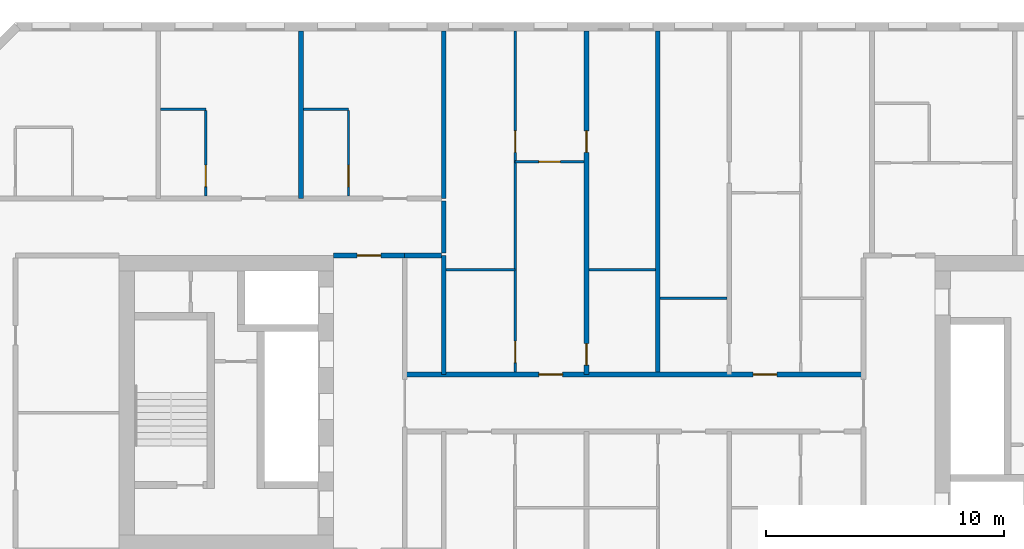
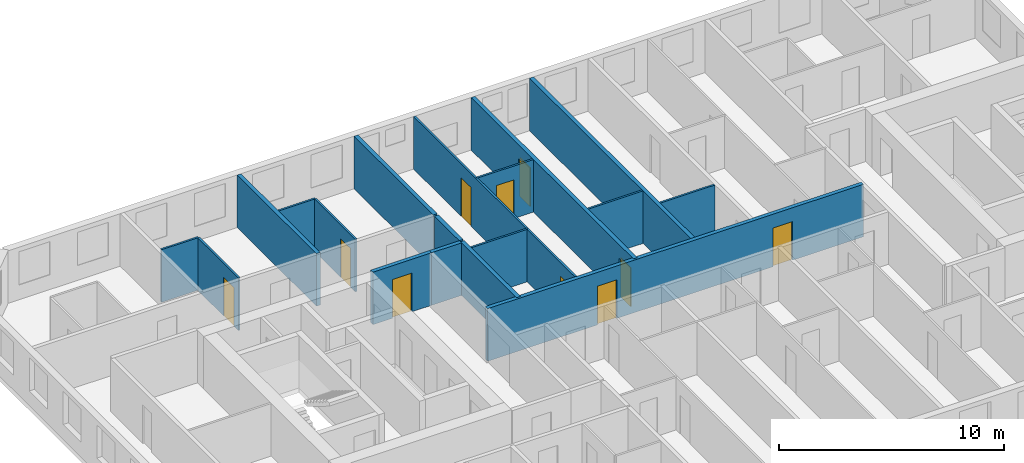
# One storey, part 5 of 16: 18 walls, 10 doors, 10 openings.
"""IFC4 building model written with IfcOpenShell, lengths in metres."""

from ifc_helpers import new_model, si_unit, direction, frame, frame_2d, origin, place, context, subcontext, project, spatial, rectangle, extrude, material, layer, layer_set, type_object, element, fill, save


model = new_model("IFC4")

# Units and contexts
model_context = context("Model", 3, precision=1e-05, world=origin(), true_north=direction((0.0, 1.0)))
body_context = subcontext(model_context, "Body", "Model", "MODEL_VIEW")
ifc_project = project(units=[si_unit("LENGTHUNIT", "METRE"), si_unit("AREAUNIT", "SQUARE_METRE"), si_unit("VOLUMEUNIT", "CUBIC_METRE"), si_unit("PLANEANGLEUNIT", "RADIAN"), si_unit("MASSUNIT", "GRAM", prefix="KILO")], contexts=[model_context])

# Site, building, storey
site_placement = place(None, origin())
site = spatial("IfcSite", under=ifc_project, at=site_placement, CompositionType="ELEMENT")
building_placement = place(site_placement, origin())
building = spatial("IfcBuilding", under=site, at=building_placement, Name="Tuart Gate Housing", CompositionType="ELEMENT")
storey_placement = place(building_placement, frame((0.0, 0.0, 111.89990234375)))
storey = spatial("IfcBuildingStorey", under=building, at=storey_placement, Name="L31", CompositionType="ELEMENT", Elevation=111.89990234375)

# Wall, openings, doors
ifc_material_1 = material(Name="Concrete masonry 15 MPa", Category="masonry")
ifc_layer_1 = layer(ifc_material_1, 0.199951171875)
ifc_layer_set_1 = layer_set([ifc_layer_1], Name="Corridor wall masonry 200")
wall_type_1 = type_object("IfcWallType", Name="Corridor wall masonry 200", PredefinedType="PARTITIONING", material=ifc_layer_set_1)
wall_1_placement = place(storey_placement, frame((44.360107421875, 71.199951171875, 0.0), z_axis=(0.0, 0.0, 1.0), x_axis=(1.0, 0.0, 0.0)))
wall_1 = element("IfcWall", 1, at=wall_1_placement, inside=storey, type_object=wall_type_1, Name="Corridor wall masonry 200", PredefinedType="PARTITIONING", context=body_context, shape_type="SweptSolid", body=[
    extrude(rectangle(XDim=19.27978515625, YDim=0.199951171875, at=frame_2d((9.639892578125, 0.0))), origin(), (0.0, 0.0, 1.0), 2.85009765625),
])
opening_1_placement = place(wall_1_placement, frame((14.639892578125, 0.0, 0.0)))
opening_1 = element("IfcOpeningElement", 2, at=opening_1_placement, cuts=wall_1, Name="Opening D1203", PredefinedType="OPENING", context=body_context, shape_type="SweptSolid", body=[
    extrude(rectangle(XDim=1.0, YDim=2.10009765625, at=frame_2d((0.5, 1.050048828125))), frame((0.0, 0.10986328125, 0.0), z_axis=(0.0, -1.0, 0.0), x_axis=(1.0, 0.0, 0.0)), (0.0, 0.0, 1.0), 0.219970703125),
])
opening_2_placement = place(wall_1_placement, frame((5.639892578125, 0.0, 0.0)))
opening_2 = element("IfcOpeningElement", 3, at=opening_2_placement, cuts=wall_1, Name="Opening D1204", PredefinedType="OPENING", context=body_context, shape_type="SweptSolid", body=[
    extrude(rectangle(XDim=1.0, YDim=2.10009765625, at=frame_2d((0.5, 1.050048828125))), frame((0.0, 0.10986328125, 0.0), z_axis=(0.0, -1.0, 0.0), x_axis=(1.0, 0.0, 0.0)), (0.0, 0.0, 1.0), 0.219970703125),
])
ifc_material_2 = material(Name="Timber door leaf in steel frame", Category="steel")
door_type_1 = type_object("IfcDoorType", Name="Flat entrance door 1000", OperationType="SINGLE_SWING_LEFT", PredefinedType="DOOR", material=ifc_material_2)
door_1_placement = place(opening_1_placement, origin())
door_1 = element("IfcDoor", 4, at=door_1_placement, inside=storey, type_object=door_type_1, Name="Flat entrance door", OperationType="SINGLE_SWING_LEFT", OverallHeight=2.10009765625, OverallWidth=1.0, PredefinedType="DOOR", context=body_context, shape_type="SweptSolid", body=[
    extrude(rectangle(XDim=1.0, YDim=2.10009765625, at=frame_2d((0.5, 1.050048828125))), frame((0.0, 0.02490234375, 0.0), z_axis=(0.0, -1.0, 0.0), x_axis=(1.0, 0.0, 0.0)), (0.0, 0.0, 1.0), 0.050048828125),
])
fill(opening_1, door_1)
door_2_placement = place(opening_2_placement, origin())
door_2 = element("IfcDoor", 5, at=door_2_placement, inside=storey, type_object=door_type_1, Name="Flat entrance door", OperationType="SINGLE_SWING_LEFT", OverallHeight=2.10009765625, OverallWidth=1.0, PredefinedType="DOOR", context=body_context, shape_type="SweptSolid", body=[
    extrude(rectangle(XDim=1.0, YDim=2.10009765625, at=frame_2d((0.5, 1.050048828125))), frame((0.0, 0.02490234375, 0.0), z_axis=(0.0, -1.0, 0.0), x_axis=(1.0, 0.0, 0.0)), (0.0, 0.0, 1.0), 0.050048828125),
])
fill(opening_2, door_2)

# Walls
wall_2_placement = place(storey_placement, frame((44.360107421875, 76.199951171875, 0.0), z_axis=(0.0, 0.0, 1.0), x_axis=(1.0, 0.0, 0.0)))
element("IfcWall", 6, at=wall_2_placement, inside=storey, type_object=wall_type_1, Name="Corridor wall masonry 200", PredefinedType="PARTITIONING", context=body_context, shape_type="SweptSolid", body=[
    extrude(rectangle(XDim=1.539794921875, YDim=0.199951171875, at=frame_2d((0.77001953125, 0.0))), origin(), (0.0, 0.0, 1.0), 2.85009765625),
])
wall_3_placement = place(storey_placement, frame((46.0, 76.300048828125, 0.0), z_axis=(0.0, 0.0, 1.0), x_axis=(0.0, 1.0, 0.0)))
element("IfcWall", 7, at=wall_3_placement, inside=storey, type_object=wall_type_1, Name="Corridor wall masonry 200", PredefinedType="PARTITIONING", context=body_context, shape_type="SweptSolid", body=[
    extrude(rectangle(XDim=2.199951171875, YDim=0.199951171875, at=frame_2d((1.10009765625, 0.0))), origin(), (0.0, 0.0, 1.0), 2.85009765625),
])

# Wall, opening, door
ifc_material_3 = material(Name="Concrete masonry 15 MPa", Category="masonry")
ifc_layer_2 = layer(ifc_material_3, 0.199951171875)
ifc_layer_set_2 = layer_set([ifc_layer_2], Name="Enclosure wall masonry 200")
wall_type_2 = type_object("IfcWallType", Name="Enclosure wall masonry 200", PredefinedType="PARTITIONING", material=ifc_layer_set_2)
wall_4_placement = place(storey_placement, frame((41.360107421875, 76.199951171875, 0.0), z_axis=(0.0, 0.0, 1.0), x_axis=(1.0, 0.0, 0.0)))
wall_4 = element("IfcWall", 8, at=wall_4_placement, inside=storey, type_object=wall_type_2, Name="Enclosure wall masonry 200", PredefinedType="PARTITIONING", context=body_context, shape_type="SweptSolid", body=[
    extrude(rectangle(XDim=3.0, YDim=0.199951171875, at=frame_2d((1.5, 0.0))), origin(), (0.0, 0.0, 1.0), 2.85009765625),
])
opening_3_placement = place(wall_4_placement, frame((1.0, 0.0, 0.0)))
opening_3 = element("IfcOpeningElement", 9, at=opening_3_placement, cuts=wall_4, Name="Opening D1198", PredefinedType="OPENING", context=body_context, shape_type="SweptSolid", body=[
    extrude(rectangle(XDim=1.0, YDim=2.10009765625, at=frame_2d((0.5, 1.050048828125))), frame((0.0, 0.10986328125, 0.0), z_axis=(0.0, -1.0, 0.0), x_axis=(1.0, 0.0, 0.0)), (0.0, 0.0, 1.0), 0.219970703125),
])
ifc_material_4 = material(Name="Timber door leaf in steel frame", Category="steel")
door_type_2 = type_object("IfcDoorType", Name="Fire door 1000 RH", OperationType="SINGLE_SWING_RIGHT", PredefinedType="DOOR", material=ifc_material_4)
door_3_placement = place(opening_3_placement, origin())
door_3 = element("IfcDoor", 10, at=door_3_placement, inside=storey, type_object=door_type_2, Name="Fire door", OperationType="SINGLE_SWING_RIGHT", OverallHeight=2.10009765625, OverallWidth=1.0, PredefinedType="DOOR", context=body_context, shape_type="SweptSolid", body=[
    extrude(rectangle(XDim=1.0, YDim=2.10009765625, at=frame_2d((0.5, 1.050048828125))), frame((0.0, 0.02490234375, 0.0), z_axis=(0.0, -1.0, 0.0), x_axis=(1.0, 0.0, 0.0)), (0.0, 0.0, 1.0), 0.050048828125),
])
fill(opening_3, door_3)

# Walls
ifc_material_5 = material(Name="Gypsum board on steel studs", Category="steel")
ifc_layer_3 = layer(ifc_material_5, 0.10009765625)
ifc_layer_set_3 = layer_set([ifc_layer_3], Name="Partition 100")
wall_type_3 = type_object("IfcWallType", Name="Partition 100", PredefinedType="PARTITIONING", material=ifc_layer_set_3)
wall_5_placement = place(storey_placement, frame((55.10009765625, 74.39990234375, 0.0), z_axis=(0.0, 0.0, 1.0), x_axis=(1.0, 0.0, 0.0)))
element("IfcWall", 11, at=wall_5_placement, inside=storey, type_object=wall_type_3, Name="Partition 100", PredefinedType="PARTITIONING", context=body_context, shape_type="SweptSolid", body=[
    extrude(rectangle(XDim=2.7998046875, YDim=0.10009765625, at=frame_2d((1.39990234375, 0.0))), origin(), (0.0, 0.0, 1.0), 2.85009765625),
])
wall_6_placement = place(storey_placement, frame((46.10009765625, 75.60009765625, 0.0), z_axis=(0.0, 0.0, 1.0), x_axis=(1.0, 0.0, 0.0)))
element("IfcWall", 12, at=wall_6_placement, inside=storey, type_object=wall_type_3, Name="Partition 100", PredefinedType="PARTITIONING", context=body_context, shape_type="SweptSolid", body=[
    extrude(rectangle(XDim=2.89990234375, YDim=0.10009765625, at=frame_2d((1.449951171875, 0.0))), origin(), (0.0, 0.0, 1.0), 2.85009765625),
])
wall_7_placement = place(storey_placement, frame((52.10009765625, 75.60009765625, 0.0), z_axis=(0.0, 0.0, 1.0), x_axis=(1.0, 0.0, 0.0)))
element("IfcWall", 13, at=wall_7_placement, inside=storey, type_object=wall_type_3, Name="Partition 100", PredefinedType="PARTITIONING", context=body_context, shape_type="SweptSolid", body=[
    extrude(rectangle(XDim=2.7998046875, YDim=0.10009765625, at=frame_2d((1.39990234375, 0.0))), origin(), (0.0, 0.0, 1.0), 2.85009765625),
])

# Wall, opening, door
wall_8_placement = place(storey_placement, frame((49.0, 80.139892578125, 0.0), z_axis=(0.0, 0.0, 1.0), x_axis=(1.0, 0.0, 0.0)))
wall_8 = element("IfcWall", 14, at=wall_8_placement, inside=storey, type_object=wall_type_3, Name="Partition 100", PredefinedType="PARTITIONING", context=body_context, shape_type="SweptSolid", body=[
    extrude(rectangle(XDim=2.89990234375, YDim=0.10009765625, at=frame_2d((1.449951171875, 0.0))), origin(), (0.0, 0.0, 1.0), 2.85009765625),
])
opening_4_placement = place(wall_8_placement, frame((1.0, 0.0, 0.0)))
opening_4 = element("IfcOpeningElement", 15, at=opening_4_placement, cuts=wall_8, Name="Opening D1182", PredefinedType="OPENING", context=body_context, shape_type="SweptSolid", body=[
    extrude(rectangle(XDim=0.89990234375, YDim=2.10009765625, at=frame_2d((0.449951171875, 1.050048828125))), frame((0.0, 0.06005859375, 0.0), z_axis=(0.0, -1.0, 0.0), x_axis=(1.0, 0.0, 0.0)), (0.0, 0.0, 1.0), 0.1201171875),
])
ifc_material_6 = material(Name="Timber door leaf in steel frame", Category="steel")
door_type_3 = type_object("IfcDoorType", Name="Internal door 900 RH", OperationType="SINGLE_SWING_RIGHT", PredefinedType="DOOR", material=ifc_material_6)
door_4_placement = place(opening_4_placement, frame((0.89990234375, 0.0, 0.0), z_axis=(0.0, 0.0, 1.0), x_axis=(-1.0, 0.0, 0.0)))
door_4 = element("IfcDoor", 16, at=door_4_placement, inside=storey, type_object=door_type_3, Name="Internal door", OperationType="SINGLE_SWING_RIGHT", OverallHeight=2.10009765625, OverallWidth=0.89990234375, PredefinedType="DOOR", context=body_context, shape_type="SweptSolid", body=[
    extrude(rectangle(XDim=0.89990234375, YDim=2.10009765625, at=frame_2d((0.449951171875, 1.050048828125))), frame((0.0, 0.025146484375, 0.0), z_axis=(0.0, -1.0, 0.0), x_axis=(1.0, 0.0, 0.0)), (0.0, 0.0, 1.0), 0.050048828125),
])
fill(opening_4, door_4)

# Walls
for number, where, z_axis, x_axis, name in (
    (17, (34.10009765625, 82.35009765625, 0.0), (0.0, 0.0, 1.0), (1.0, 0.0, 0.0), "Partition 100"),
    (18, (40.10009765625, 82.35009765625, 0.0), (0.0, 0.0, 1.0), (1.0, 0.0, 0.0), "Partition 100"),
):
    element("IfcWall", number, at=place(storey_placement, frame(where, z_axis=z_axis, x_axis=x_axis)), inside=storey, type_object=wall_type_3, Name=name, PredefinedType="PARTITIONING", context=body_context, shape_type="SweptSolid", body=[
        extrude(rectangle(XDim=1.89990234375, YDim=0.10009765625, at=frame_2d((0.949951171875, 0.0))), origin(), (0.0, 0.0, 1.0), 2.85009765625),
    ])

# Wall, opening, door
wall_9_placement = place(storey_placement, frame((36.0, 78.699951171875, 0.0), z_axis=(0.0, 0.0, 1.0), x_axis=(0.0, 1.0, 0.0)))
wall_9 = element("IfcWall", 19, at=wall_9_placement, inside=storey, type_object=wall_type_3, Name="Partition 100", PredefinedType="PARTITIONING", context=body_context, shape_type="SweptSolid", body=[
    extrude(rectangle(XDim=3.60009765625, YDim=0.10009765625, at=frame_2d((1.800048828125, 0.0))), origin(), (0.0, 0.0, 1.0), 2.85009765625),
])
opening_5_placement = place(wall_9_placement, frame((0.39990234375, 0.0, 0.0)))
opening_5 = element("IfcOpeningElement", 20, at=opening_5_placement, cuts=wall_9, Name="Opening D1180", PredefinedType="OPENING", context=body_context, shape_type="SweptSolid", body=[
    extrude(rectangle(XDim=0.89990234375, YDim=2.10009765625, at=frame_2d((0.449951171875, 1.050048828125))), frame((0.0, 0.06005859375, 0.0), z_axis=(0.0, -1.0, 0.0), x_axis=(1.0, 0.0, 0.0)), (0.0, 0.0, 1.0), 0.1201171875),
])
ifc_material_7 = material(Name="Timber door leaf in steel frame", Category="steel")
door_type_4 = type_object("IfcDoorType", Name="Bathroom door 900", OperationType="SINGLE_SWING_LEFT", PredefinedType="DOOR", material=ifc_material_7)
door_5_placement = place(opening_5_placement, origin())
door_5 = element("IfcDoor", 21, at=door_5_placement, inside=storey, type_object=door_type_4, Name="Bathroom door", OperationType="SINGLE_SWING_LEFT", OverallHeight=2.10009765625, OverallWidth=0.89990234375, PredefinedType="DOOR", context=body_context, shape_type="SweptSolid", body=[
    extrude(rectangle(XDim=0.89990234375, YDim=2.10009765625, at=frame_2d((0.449951171875, 1.050048828125))), frame((0.0, 0.02490234375, 0.0), z_axis=(0.0, -1.0, 0.0), x_axis=(1.0, 0.0, 0.0)), (0.0, 0.0, 1.0), 0.050048828125),
])
fill(opening_5, door_5)

wall_10_placement = place(storey_placement, frame((42.0, 78.699951171875, 0.0), z_axis=(0.0, 0.0, 1.0), x_axis=(0.0, 1.0, 0.0)))
wall_10 = element("IfcWall", 22, at=wall_10_placement, inside=storey, type_object=wall_type_3, Name="Partition 100", PredefinedType="PARTITIONING", context=body_context, shape_type="SweptSolid", body=[
    extrude(rectangle(XDim=3.60009765625, YDim=0.10009765625, at=frame_2d((1.800048828125, 0.0))), origin(), (0.0, 0.0, 1.0), 2.85009765625),
])
opening_6_placement = place(wall_10_placement, frame((0.39990234375, 0.0, 0.0)))
opening_6 = element("IfcOpeningElement", 23, at=opening_6_placement, cuts=wall_10, Name="Opening D1181", PredefinedType="OPENING", context=body_context, shape_type="SweptSolid", body=[
    extrude(rectangle(XDim=0.89990234375, YDim=2.10009765625, at=frame_2d((0.449951171875, 1.050048828125))), frame((0.0, 0.06005859375, 0.0), z_axis=(0.0, -1.0, 0.0), x_axis=(1.0, 0.0, 0.0)), (0.0, 0.0, 1.0), 0.1201171875),
])
door_6_placement = place(opening_6_placement, origin())
door_6 = element("IfcDoor", 24, at=door_6_placement, inside=storey, type_object=door_type_4, Name="Bathroom door", OperationType="SINGLE_SWING_LEFT", OverallHeight=2.10009765625, OverallWidth=0.89990234375, PredefinedType="DOOR", context=body_context, shape_type="SweptSolid", body=[
    extrude(rectangle(XDim=0.89990234375, YDim=2.10009765625, at=frame_2d((0.449951171875, 1.050048828125))), frame((0.0, 0.02490234375, 0.0), z_axis=(0.0, -1.0, 0.0), x_axis=(1.0, 0.0, 0.0)), (0.0, 0.0, 1.0), 0.050048828125),
])
fill(opening_6, door_6)

# Wall, openings, doors
wall_11_placement = place(storey_placement, frame((49.0, 71.300048828125, 0.0), z_axis=(0.0, 0.0, 1.0), x_axis=(0.0, 1.0, 0.0)))
wall_11 = element("IfcWall", 25, at=wall_11_placement, inside=storey, type_object=wall_type_3, Name="Partition 100", PredefinedType="PARTITIONING", context=body_context, shape_type="SweptSolid", body=[
    extrude(rectangle(XDim=14.33984375, YDim=0.10009765625, at=frame_2d((7.169921875, 0.0))), origin(), (0.0, 0.0, 1.0), 2.85009765625),
])
opening_7_placement = place(wall_11_placement, frame((9.239990234375, 0.0, 0.0)))
opening_7 = element("IfcOpeningElement", 26, at=opening_7_placement, cuts=wall_11, Name="Opening D1191", PredefinedType="OPENING", context=body_context, shape_type="SweptSolid", body=[
    extrude(rectangle(XDim=0.89990234375, YDim=2.10009765625, at=frame_2d((0.449951171875, 1.050048828125))), frame((0.0, 0.06005859375, 0.0), z_axis=(0.0, -1.0, 0.0), x_axis=(1.0, 0.0, 0.0)), (0.0, 0.0, 1.0), 0.1201171875),
])
opening_8_placement = place(wall_11_placement, frame((0.39990234375, 0.0, 0.0)))
opening_8 = element("IfcOpeningElement", 27, at=opening_8_placement, cuts=wall_11, Name="Opening D1190", PredefinedType="OPENING", context=body_context, shape_type="SweptSolid", body=[
    extrude(rectangle(XDim=0.89990234375, YDim=2.10009765625, at=frame_2d((0.449951171875, 1.050048828125))), frame((0.0, 0.06005859375, 0.0), z_axis=(0.0, -1.0, 0.0), x_axis=(1.0, 0.0, 0.0)), (0.0, 0.0, 1.0), 0.1201171875),
])
door_7_placement = place(opening_8_placement, origin())
door_7 = element("IfcDoor", 28, at=door_7_placement, inside=storey, type_object=door_type_4, Name="Bathroom door", OperationType="SINGLE_SWING_LEFT", OverallHeight=2.10009765625, OverallWidth=0.89990234375, PredefinedType="DOOR", context=body_context, shape_type="SweptSolid", body=[
    extrude(rectangle(XDim=0.89990234375, YDim=2.10009765625, at=frame_2d((0.449951171875, 1.050048828125))), frame((0.0, 0.02490234375, 0.0), z_axis=(0.0, -1.0, 0.0), x_axis=(1.0, 0.0, 0.0)), (0.0, 0.0, 1.0), 0.050048828125),
])
fill(opening_8, door_7)
door_8_placement = place(opening_7_placement, origin())
door_8 = element("IfcDoor", 29, at=door_8_placement, inside=storey, type_object=door_type_3, Name="Internal door", OperationType="SINGLE_SWING_RIGHT", OverallHeight=2.10009765625, OverallWidth=0.89990234375, PredefinedType="DOOR", context=body_context, shape_type="SweptSolid", body=[
    extrude(rectangle(XDim=0.89990234375, YDim=2.10009765625, at=frame_2d((0.449951171875, 1.050048828125))), frame((0.0, 0.02490234375, 0.0), z_axis=(0.0, -1.0, 0.0), x_axis=(1.0, 0.0, 0.0)), (0.0, 0.0, 1.0), 0.050048828125),
])
fill(opening_7, door_8)

# Walls
ifc_material_8 = material(Name="Concrete C40", Category="concrete")
ifc_layer_4 = layer(ifc_material_8, 0.199951171875)
ifc_layer_set_4 = layer_set([ifc_layer_4], Name="Party wall concrete C40 200")
wall_type_4 = type_object("IfcWallType", Name="Party wall concrete C40 200", PredefinedType="SOLIDWALL", material=ifc_layer_set_4)
wall_12_placement = place(storey_placement, frame((40.0, 78.60009765625, 0.0), z_axis=(0.0, 0.0, 1.0), x_axis=(0.0, 1.0, 0.0)))
element("IfcWall", 30, at=wall_12_placement, inside=storey, type_object=wall_type_4, Name="Party wall concrete C40 200", PredefinedType="SOLIDWALL", context=body_context, shape_type="SweptSolid", body=[
    extrude(rectangle(XDim=7.039794921875, YDim=0.199951171875, at=frame_2d((3.52001953125, 0.0))), origin(), (0.0, 0.0, 1.0), 2.85009765625),
])
wall_13_placement = place(storey_placement, frame((46.0, 71.199951171875, 0.0), z_axis=(0.0, 0.0, 1.0), x_axis=(0.0, 1.0, 0.0)))
element("IfcWall", 31, at=wall_13_placement, inside=storey, type_object=wall_type_4, Name="Party wall concrete C40 200", PredefinedType="SOLIDWALL", context=body_context, shape_type="SweptSolid", body=[
    extrude(rectangle(XDim=5.0, YDim=0.199951171875, at=frame_2d((2.5, 0.0))), origin(), (0.0, 0.0, 1.0), 2.85009765625),
])
wall_14_placement = place(storey_placement, frame((46.0, 78.60009765625, 0.0), z_axis=(0.0, 0.0, 1.0), x_axis=(0.0, 1.0, 0.0)))
element("IfcWall", 32, at=wall_14_placement, inside=storey, type_object=wall_type_4, Name="Party wall concrete C40 200", PredefinedType="SOLIDWALL", context=body_context, shape_type="SweptSolid", body=[
    extrude(rectangle(XDim=7.039794921875, YDim=0.199951171875, at=frame_2d((3.52001953125, 0.0))), origin(), (0.0, 0.0, 1.0), 2.85009765625),
])

# Wall, openings, doors
wall_15_placement = place(storey_placement, frame((52.0, 71.199951171875, 0.0), z_axis=(0.0, 0.0, 1.0), x_axis=(0.0, 1.0, 0.0)))
wall_15 = element("IfcWall", 33, at=wall_15_placement, inside=storey, type_object=wall_type_4, Name="Party wall concrete C40 200", PredefinedType="SOLIDWALL", context=body_context, shape_type="SweptSolid", body=[
    extrude(rectangle(XDim=14.43994140625, YDim=0.199951171875, at=frame_2d((7.219970703125, 0.0))), origin(), (0.0, 0.0, 1.0), 2.85009765625),
])
opening_9_placement = place(wall_15_placement, frame((9.340087890625, 0.0, 0.0)))
opening_9 = element("IfcOpeningElement", 34, at=opening_9_placement, cuts=wall_15, Name="Opening D1195", PredefinedType="OPENING", context=body_context, shape_type="SweptSolid", body=[
    extrude(rectangle(XDim=0.89990234375, YDim=2.10009765625, at=frame_2d((0.449951171875, 1.050048828125))), frame((0.0, 0.10986328125, 0.0), z_axis=(0.0, -1.0, 0.0), x_axis=(1.0, 0.0, 0.0)), (0.0, 0.0, 1.0), 0.219970703125),
])
opening_10_placement = place(wall_15_placement, frame((0.39990234375, 0.0, 0.0)))
opening_10 = element("IfcOpeningElement", 35, at=opening_10_placement, cuts=wall_15, Name="Opening D1194", PredefinedType="OPENING", context=body_context, shape_type="SweptSolid", body=[
    extrude(rectangle(XDim=0.89990234375, YDim=2.10009765625, at=frame_2d((0.449951171875, 1.050048828125))), frame((0.0, 0.10986328125, 0.0), z_axis=(0.0, -1.0, 0.0), x_axis=(1.0, 0.0, 0.0)), (0.0, 0.0, 1.0), 0.219970703125),
])
ifc_material_9 = material(Name="Timber door leaf in steel frame", Category="steel")
door_type_5 = type_object("IfcDoorType", Name="Bathroom door 900 RH", OperationType="SINGLE_SWING_RIGHT", PredefinedType="DOOR", material=ifc_material_9)
door_9_placement = place(opening_10_placement, frame((0.89990234375, 0.0, 0.0), z_axis=(0.0, 0.0, 1.0), x_axis=(-1.0, 0.0, 0.0)))
door_9 = element("IfcDoor", 36, at=door_9_placement, inside=storey, type_object=door_type_5, Name="Bathroom door", OperationType="SINGLE_SWING_RIGHT", OverallHeight=2.10009765625, OverallWidth=0.89990234375, PredefinedType="DOOR", context=body_context, shape_type="SweptSolid", body=[
    extrude(rectangle(XDim=0.89990234375, YDim=2.10009765625, at=frame_2d((0.449951171875, 1.050048828125))), frame((0.0, 0.025146484375, 0.0), z_axis=(0.0, -1.0, 0.0), x_axis=(1.0, 0.0, 0.0)), (0.0, 0.0, 1.0), 0.050048828125),
])
fill(opening_10, door_9)
ifc_material_10 = material(Name="Timber door leaf in steel frame", Category="steel")
door_type_6 = type_object("IfcDoorType", Name="Internal door 900", OperationType="SINGLE_SWING_LEFT", PredefinedType="DOOR", material=ifc_material_10)
door_10_placement = place(opening_9_placement, frame((0.89990234375, 0.0, 0.0), z_axis=(0.0, 0.0, 1.0), x_axis=(-1.0, 0.0, 0.0)))
door_10 = element("IfcDoor", 37, at=door_10_placement, inside=storey, type_object=door_type_6, Name="Internal door", OperationType="SINGLE_SWING_LEFT", OverallHeight=2.10009765625, OverallWidth=0.89990234375, PredefinedType="DOOR", context=body_context, shape_type="SweptSolid", body=[
    extrude(rectangle(XDim=0.89990234375, YDim=2.10009765625, at=frame_2d((0.449951171875, 1.050048828125))), frame((0.0, 0.025146484375, 0.0), z_axis=(0.0, -1.0, 0.0), x_axis=(1.0, 0.0, 0.0)), (0.0, 0.0, 1.0), 0.050048828125),
])
fill(opening_9, door_10)

# Wall
ifc_material_11 = material(Name="Concrete masonry 15 MPa", Category="masonry")
ifc_layer_5 = layer(ifc_material_11, 0.199951171875)
ifc_layer_set_5 = layer_set([ifc_layer_5], Name="Party wall masonry 200")
wall_type_5 = type_object("IfcWallType", Name="Party wall masonry 200", PredefinedType="PARTITIONING", material=ifc_layer_set_5)
wall_16_placement = place(storey_placement, frame((55.0, 71.300048828125, 0.0), z_axis=(0.0, 0.0, 1.0), x_axis=(0.0, 1.0, 0.0)))
element("IfcWall", 38, at=wall_16_placement, inside=storey, type_object=wall_type_5, Name="Party wall masonry 200", PredefinedType="PARTITIONING", context=body_context, shape_type="SweptSolid", body=[
    extrude(rectangle(XDim=14.33984375, YDim=0.199951171875, at=frame_2d((7.169921875, 0.0))), origin(), (0.0, 0.0, 1.0), 2.85009765625),
])

save(model, "model.ifc")
